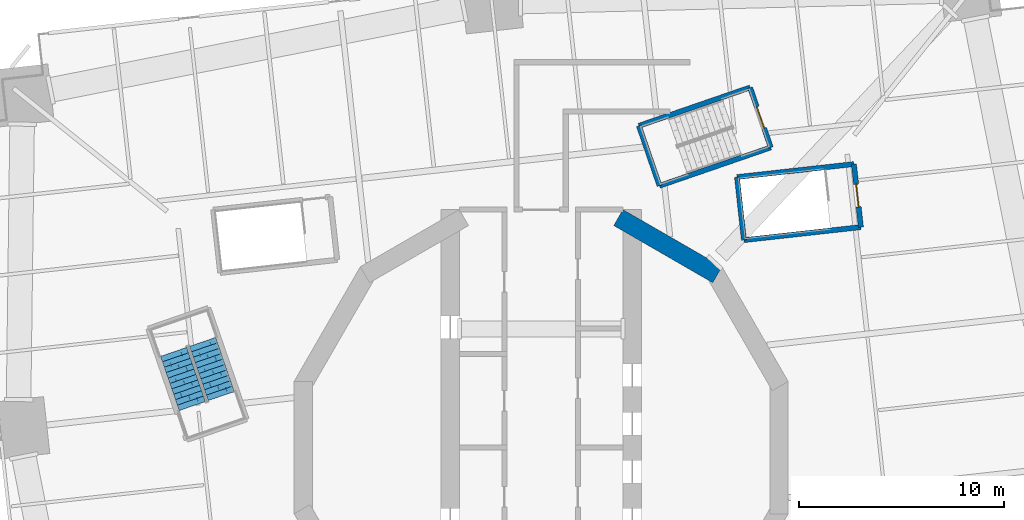
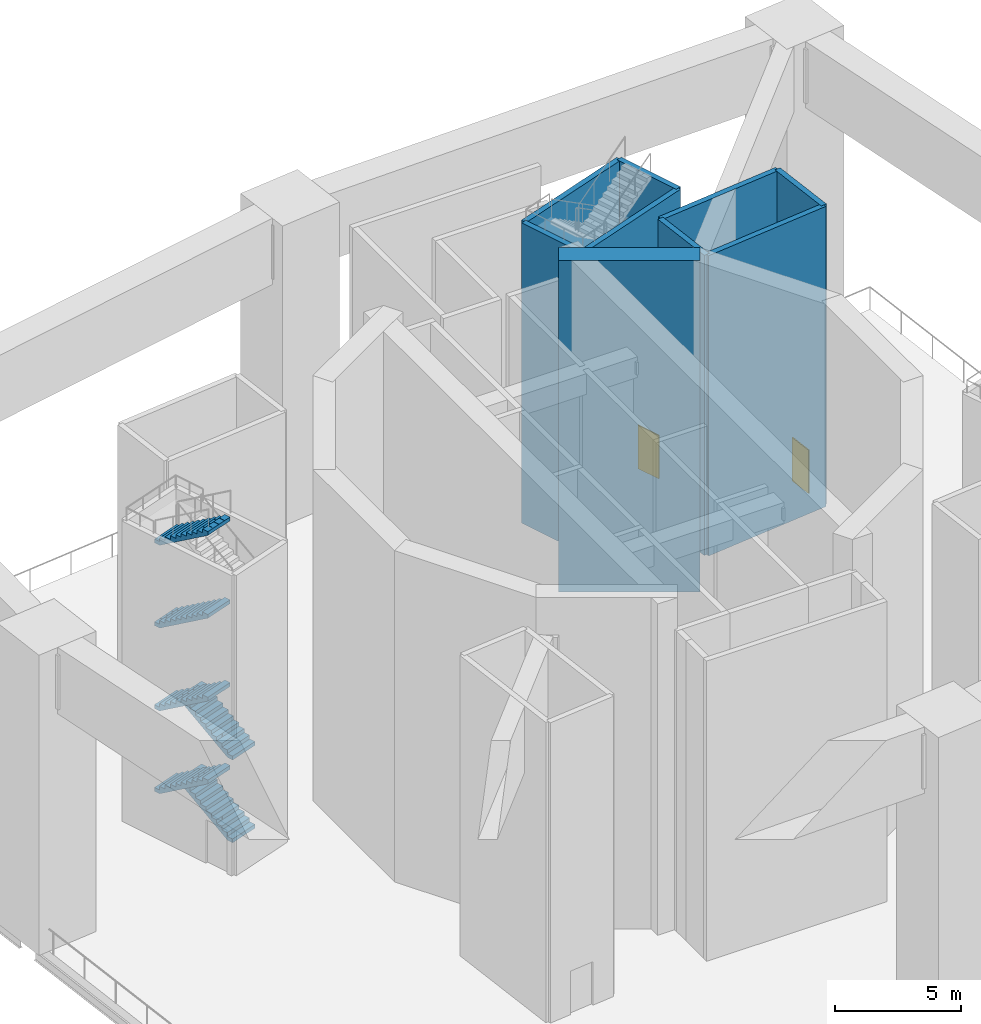
# One storey, part 5 of 13: 9 walls, 6 stair flights, 2 doors, 2 openings, 1 element without a shape of its own.
"""IFC4 building model written with IfcOpenShell, lengths in metres."""

import ifcopenshell
import ifcopenshell.guid

model = None  # the IFC model being written
_history = None  # IfcOwnerHistory: only IFC2X3 demands one
_inside = {}  # id of a spatial element -> (the spatial element, [elements in it])
_under = {}  # id of a project, library or spatial element -> (it, [spatial elements below it])
_declared = {}  # id of a project -> (the project, [libraries it declares])
_typed = {}  # id of a type object -> (the type object, [elements of that type])
_made_of = {}  # id of a material, layer set ... -> (it, [elements and type objects made of it])


def new_model(schema):
    """Start an empty IFC model of exactly this schema.

    Asked for "IFC4X3", IfcOpenShell would pick the latest addendum, in which some entities
    have other attributes; the version numbers below select the first issue.
    IFC2X3 requires an IfcOwnerHistory on every rooted entity: one is made here for all.
    """
    global model, _history
    if schema == "IFC4X3":
        model = ifcopenshell.file(schema_version=(4, 3, 0, 0))
    else:
        model = ifcopenshell.file(schema=schema)
    _inside.clear()
    _under.clear()
    _declared.clear()
    _typed.clear()
    _made_of.clear()
    _history = None
    if model.schema == "IFC2X3":
        org = make("IfcOrganization", Name="unknown")
        user = make(
            "IfcPersonAndOrganization",
            ThePerson=make("IfcPerson", FamilyName="unknown"),
            TheOrganization=org,
        )
        app = make(
            "IfcApplication",
            ApplicationDeveloper=org,
            Version="unknown",
            ApplicationFullName="unknown",
            ApplicationIdentifier="unknown",
        )
        _history = make(
            "IfcOwnerHistory",
            OwningUser=user,
            OwningApplication=app,
            ChangeAction="ADDED",
            CreationDate=0,
        )
    return model


def make(cls, **values):
    """One entity of the class cls with the attributes given. An attribute that is None is left unset."""
    return model.create_entity(
        cls, **{name: value for name, value in values.items() if value is not None}
    )


def rooted(cls, **values):
    """An entity with a GlobalId (a new one), such as an element, a storey or a relation."""
    return make(cls, GlobalId=ifcopenshell.guid.new(), OwnerHistory=_history, **values)


def si_unit(unit_type, name, prefix=None):
    """IfcSIUnit, for example si_unit("LENGTHUNIT", "METRE", prefix="MILLI")."""
    return make("IfcSIUnit", UnitType=unit_type, Prefix=prefix, Name=name)


def assignment(units):
    """IfcUnitAssignment: the units of a project."""
    return None if units is None else make("IfcUnitAssignment", Units=units)


def point(xyz):
    """IfcCartesianPoint."""
    return None if xyz is None else make("IfcCartesianPoint", Coordinates=xyz)


def direction(xyz):
    """IfcDirection."""
    return None if xyz is None else make("IfcDirection", DirectionRatios=xyz)


def frame(location, z_axis=None, x_axis=None):
    """IfcAxis2Placement3D, a coordinate frame: its origin and axes. An axis left out is left unset."""
    return make(
        "IfcAxis2Placement3D",
        Location=point(location),
        Axis=direction(z_axis),
        RefDirection=direction(x_axis),
    )


def frame_2d(location, x_axis=None):
    """IfcAxis2Placement2D, a coordinate frame in the plane: its origin and x axis."""
    return make(
        "IfcAxis2Placement2D", Location=point(location), RefDirection=direction(x_axis)
    )


def origin():
    """The frame at (0, 0, 0) with its axes left unset."""
    return frame((0.0, 0.0, 0.0))


def place(relative_to, where):
    """IfcLocalPlacement: puts the frame where relative to a parent placement (None: the world)."""
    return make(
        "IfcLocalPlacement", PlacementRelTo=relative_to, RelativePlacement=where
    )


def context(
    kind, dimensions, precision=None, world=None, true_north=None, identifier=None
):
    """IfcGeometricRepresentationContext, for example the 3D "Model" context."""
    return make(
        "IfcGeometricRepresentationContext",
        ContextIdentifier=identifier,
        ContextType=kind,
        CoordinateSpaceDimension=dimensions,
        Precision=precision,
        WorldCoordinateSystem=world,
        TrueNorth=true_north,
    )


def subcontext(parent, identifier, kind, view, scale=None):
    """IfcGeometricRepresentationSubContext, for example "Body" below "Model"."""
    return make(
        "IfcGeometricRepresentationSubContext",
        ContextIdentifier=identifier,
        ContextType=kind,
        ParentContext=parent,
        TargetScale=scale,
        TargetView=view,
    )


def project(units=None, contexts=None):
    """IfcProject with its units and contexts."""
    return rooted(
        "IfcProject",
        Name="project",
        RepresentationContexts=contexts,
        UnitsInContext=assignment(units),
    )


def spatial(cls, under=None, at=None, **own):
    """A site, building, storey or space (cls), placed at a placement, below another one or the project."""
    s = rooted(cls, ObjectPlacement=at, **own)
    if under is not None:
        _under.setdefault(under.id(), (under, []))[1].append(s)
    return s


def polyline(points):
    """IfcPolyline through the points."""
    return make("IfcPolyline", Points=[point(p) for p in points])


def profile(cls, at=None, kind="AREA", **sizes):
    """A parametric profile (cls). Its sizes go by their IFC names, for example OverallWidth=200.0."""
    return make(cls, ProfileType=kind, Position=at, **sizes)


def rectangle(**sizes):
    """IfcRectangleProfileDef."""
    return profile("IfcRectangleProfileDef", **sizes)


def outline(outer, holes=None, kind="AREA"):
    """IfcArbitraryClosedProfileDef: a profile drawn as a closed curve; with holes, ...WithVoids."""
    if holes is None:
        return make("IfcArbitraryClosedProfileDef", ProfileType=kind, OuterCurve=outer)
    return make(
        "IfcArbitraryProfileDefWithVoids",
        ProfileType=kind,
        OuterCurve=outer,
        InnerCurves=holes,
    )


def extrude(swept, where, along, depth):
    """IfcExtrudedAreaSolid: the profile swept, set in the frame where, extruded along a direction by depth."""
    return make(
        "IfcExtrudedAreaSolid",
        SweptArea=swept,
        Position=where,
        ExtrudedDirection=direction(along),
        Depth=depth,
    )


def shape(context_of_items, identifier, shape_type, items):
    """IfcShapeRepresentation: the items that make up one representation, for example the "Body"."""
    return make(
        "IfcShapeRepresentation",
        ContextOfItems=context_of_items,
        RepresentationIdentifier=identifier,
        RepresentationType=shape_type,
        Items=items,
    )


def material(Name=None, Category=None):
    """IfcMaterial."""
    return make("IfcMaterial", Name=Name, Category=Category)


def layer(
    of_material, thickness, ventilated=None, Name=None, Category=None, Priority=None
):
    """IfcMaterialLayer: one layer of a wall or slab, of a material (None: an air gap)."""
    return make(
        "IfcMaterialLayer",
        Material=of_material,
        LayerThickness=thickness,
        IsVentilated=ventilated,
        Name=Name,
        Category=Category,
        Priority=Priority,
    )


def layer_set(layers, Name=None):
    """IfcMaterialLayerSet."""
    return make("IfcMaterialLayerSet", MaterialLayers=layers, LayerSetName=Name)


def made_of(thing, what):
    """Note that an element or type object is made of a material, layer set ...; save() writes the relation."""
    if what is not None:
        _made_of.setdefault(what.id(), (what, []))[1].append(thing)
    return thing


def type_object(cls, material=None, **own):
    """A type object (cls), such as IfcWallType, which elements share."""
    return made_of(rooted(cls, **own), material)


def element(
    cls,
    number,
    at=None,
    inside=None,
    cuts=None,
    type_object=None,
    material=None,
    context=None,
    identifier="Body",
    shape_type=None,
    held_by="IfcProductDefinitionShape",
    body=None,
    shapes=None,
    **own,
):
    """One element of the class cls, such as IfcWall. Its Tag is "e" and its number.

    at: its placement. inside: the storey or other place that contains it. cuts: it is an
    opening in that element (IfcRelVoidsElement). A single representation is given by context,
    identifier, shape_type and body (its items); several are given by shapes. held_by: the class
    of the entity that holds the representations. save() writes the other relations.
    """
    e = rooted(cls, Tag="e%d" % number, ObjectPlacement=at, **own)
    if body is not None:
        shapes = [shape(context, identifier, shape_type, body)]
    if shapes is not None:
        e.Representation = make(held_by, Representations=shapes)
    if inside is not None:
        _inside.setdefault(inside.id(), (inside, []))[1].append(e)
    if cuts is not None:
        rooted(
            "IfcRelVoidsElement", RelatingBuildingElement=cuts, RelatedOpeningElement=e
        )
    if type_object is not None:
        _typed.setdefault(type_object.id(), (type_object, []))[1].append(e)
    return made_of(e, material)


def fill(opening, filler):
    """IfcRelFillsElement: the door or window that sits in an opening."""
    return rooted(
        "IfcRelFillsElement",
        RelatingOpeningElement=opening,
        RelatedBuildingElement=filler,
    )


def aggregate(whole, parts):
    """IfcRelAggregates: a whole, such as a stair, and the parts it consists of."""
    return rooted("IfcRelAggregates", RelatingObject=whole, RelatedObjects=parts)


def save(model, path):
    """Write the relations noted so far, then the file.

    IfcRelAggregates (storeys below a building ...), IfcRelContainedInSpatialStructure (elements
    in a storey), IfcRelDefinesByType, IfcRelAssociatesMaterial and IfcRelDeclares: one each for
    every whole, place, type object, material and project.
    """
    for whole, parts in _under.values():
        aggregate(whole, parts)
    for where, things in _inside.values():
        rooted(
            "IfcRelContainedInSpatialStructure",
            RelatedElements=things,
            RelatingStructure=where,
        )
    for kind, things in _typed.values():
        rooted("IfcRelDefinesByType", RelatedObjects=things, RelatingType=kind)
    for what, things in _made_of.values():
        rooted("IfcRelAssociatesMaterial", RelatedObjects=things, RelatingMaterial=what)
    for by, libraries in _declared.values():
        rooted("IfcRelDeclares", RelatingContext=by, RelatedDefinitions=libraries)
    model.write(path)


model = new_model("IFC4")

# Units and contexts
model_context = context("Model", 3, precision=1e-05, world=origin(), true_north=direction((0.0, 1.0)))
body_context = subcontext(model_context, "Body", "Model", "MODEL_VIEW")
ifc_project = project(units=[si_unit("LENGTHUNIT", "METRE"), si_unit("AREAUNIT", "SQUARE_METRE"), si_unit("VOLUMEUNIT", "CUBIC_METRE"), si_unit("PLANEANGLEUNIT", "RADIAN"), si_unit("MASSUNIT", "GRAM", prefix="KILO")], contexts=[model_context])

# Site, building, storey
site_placement = place(None, origin())
site = spatial("IfcSite", under=ifc_project, at=site_placement, CompositionType="ELEMENT")
building_placement = place(site_placement, origin())
building = spatial("IfcBuilding", under=site, at=building_placement, Name="Cantera Rosa Tower", CompositionType="ELEMENT")
storey_placement = place(building_placement, frame((0.0, 0.0, 84.300048828125)))
storey = spatial("IfcBuildingStorey", under=building, at=storey_placement, Name="L18", CompositionType="ELEMENT", Elevation=84.300048828125)

# Wall
ifc_material_1 = material(Name="Concrete C70/85", Category="concrete")
ifc_layer_1 = layer(ifc_material_1, 0.89990234375)
ifc_layer_set_1 = layer_set([ifc_layer_1], Name="RC CORE WALL 900 C70/85")
wall_type_1 = type_object("IfcWallType", Name="RC CORE WALL 900 C70/85", PredefinedType="SHEAR", material=ifc_layer_set_1)
wall_1_placement = place(storey_placement, frame((3.77490234375, 11.242919921875, 0.0), z_axis=(0.0, 0.0, 1.0), x_axis=(0.866026961591, -0.49999730179, 0.0)))
element("IfcWall", 1, at=wall_1_placement, inside=storey, type_object=wall_type_1, Name="CW-E1 L18", PredefinedType="SHEAR", context=body_context, shape_type="SweptSolid", body=[
    extrude(rectangle(XDim=5.58740234375, YDim=0.89990234375, at=frame_2d((2.793701171875, 0.0))), origin(), (0.0, 0.0, 1.0), 16.0),
])

# Wall, opening, door
ifc_material_2 = material(Name="Concrete C50/60", Category="concrete")
ifc_layer_2 = layer(ifc_material_2, 0.25)
ifc_layer_set_2 = layer_set([ifc_layer_2], Name="RC stair wall 250 C50/60")
wall_type_2 = type_object("IfcWallType", Name="RC stair wall 250", PredefinedType="SOLIDWALL", material=ifc_layer_set_2)
wall_2_placement = place(storey_placement, frame((10.213623046875, 17.6015625, 0.0), z_axis=(0.0, 0.0, 1.0), x_axis=(0.325568342783, -0.945518510753, 0.0)))
wall_2 = element("IfcWall", 2, at=wall_2_placement, inside=storey, type_object=wall_type_2, Name="STAIR WALL ST-21 L18-11", PredefinedType="SOLIDWALL", context=body_context, shape_type="SweptSolid", body=[
    extrude(rectangle(XDim=3.10009765625, YDim=0.25, at=frame_2d((1.550048828125, 0.0))), origin(), (0.0, 0.0, 1.0), 14.5),
])
opening_1_placement = place(wall_2_placement, frame((1.0, 0.0, 0.0)))
opening_1 = element("IfcOpeningElement", 3, at=opening_1_placement, cuts=wall_2, Name="Opening L18-ST-21", PredefinedType="OPENING", context=body_context, shape_type="SweptSolid", body=[
    extrude(rectangle(XDim=1.10009765625, YDim=2.10009765625, at=frame_2d((0.550048828125, 1.050048828125))), frame((0.0, 0.135009765625, 0.0), z_axis=(0.0, -1.0, 0.0), x_axis=(1.0, 0.0, 0.0)), (0.0, 0.0, 1.0), 0.27001953125),
])
ifc_material_3 = material(Name="Steel S355J2 (EN 10025-2)", Category="steel")
door_type = type_object("IfcDoorType", Name="STAIR DOOR 1100x2100", OperationType="NOTDEFINED", PredefinedType="DOOR", material=ifc_material_3)
door_1_placement = place(opening_1_placement, origin())
door_1 = element("IfcDoor", 4, at=door_1_placement, inside=storey, type_object=door_type, Name="DOOR L18-ST-21", OperationType="NOTDEFINED", OverallHeight=2.10009765625, OverallWidth=1.10009765625, PredefinedType="DOOR", context=body_context, shape_type="SweptSolid", body=[
    extrude(rectangle(XDim=1.10009765625, YDim=2.10009765625, at=frame_2d((0.550048828125, 1.050048828125))), frame((0.0, 0.02490234375, 0.0), z_axis=(0.0, -1.0, 0.0), x_axis=(1.0, 0.0, 0.0)), (0.0, 0.0, 1.0), 0.050048828125),
])
fill(opening_1, door_1)

# Walls
wall_3_placement = place(storey_placement, frame((11.222900390625, 14.67041015625, 0.0), z_axis=(0.0, 0.0, 1.0), x_axis=(-0.945511873973, -0.325587616743, 0.0)))
element("IfcWall", 5, at=wall_3_placement, inside=storey, type_object=wall_type_2, Name="STAIR WALL ST-21 L18-21", PredefinedType="SOLIDWALL", context=body_context, shape_type="SweptSolid", body=[
    extrude(rectangle(XDim=5.749755859375, YDim=0.25, at=frame_2d((2.875, 0.0))), origin(), (0.0, 0.0, 1.0), 14.5),
])
wall_4_placement = place(storey_placement, frame((5.786376953125, 12.79833984375, 0.0), z_axis=(0.0, 0.0, 1.0), x_axis=(-0.325568342783, 0.945518510753, 0.0)))
element("IfcWall", 6, at=wall_4_placement, inside=storey, type_object=wall_type_2, Name="STAIR WALL ST-21 L18-31", PredefinedType="SOLIDWALL", context=body_context, shape_type="SweptSolid", body=[
    extrude(rectangle(XDim=3.10009765625, YDim=0.25, at=frame_2d((1.550048828125, 0.0))), origin(), (0.0, 0.0, 1.0), 14.5),
])
wall_5_placement = place(storey_placement, frame((4.777099609375, 15.7294921875, 0.0), z_axis=(0.0, 0.0, 1.0), x_axis=(0.945511873973, 0.325587616743, 0.0)))
element("IfcWall", 7, at=wall_5_placement, inside=storey, type_object=wall_type_2, Name="STAIR WALL ST-21 L18-41", PredefinedType="SOLIDWALL", context=body_context, shape_type="SweptSolid", body=[
    extrude(rectangle(XDim=5.749755859375, YDim=0.25, at=frame_2d((2.875, 0.0))), origin(), (0.0, 0.0, 1.0), 14.5),
])

# Wall, opening, door
wall_6_placement = place(storey_placement, frame((15.28662109375, 13.857666015625, 0.0), z_axis=(0.0, 0.0, 1.0), x_axis=(0.110258644996, -0.993902928461, 0.0)))
wall_6 = element("IfcWall", 8, at=wall_6_placement, inside=storey, type_object=wall_type_2, Name="STAIR WALL ST-11 L18-11", PredefinedType="SOLIDWALL", context=body_context, shape_type="SweptSolid", body=[
    extrude(rectangle(XDim=3.099853515625, YDim=0.25, at=frame_2d((1.5498046875, 0.0))), origin(), (0.0, 0.0, 1.0), 14.5),
])
opening_2_placement = place(wall_6_placement, frame((1.0, 0.0, 0.0)))
opening_2 = element("IfcOpeningElement", 9, at=opening_2_placement, cuts=wall_6, Name="Opening L18-ST-11", PredefinedType="OPENING", context=body_context, shape_type="SweptSolid", body=[
    extrude(rectangle(XDim=1.10009765625, YDim=2.10009765625, at=frame_2d((0.550048828125, 1.050048828125))), frame((0.0, 0.135009765625, 0.0), z_axis=(0.0, -1.0, 0.0), x_axis=(1.0, 0.0, 0.0)), (0.0, 0.0, 1.0), 0.27001953125),
])
door_2_placement = place(opening_2_placement, origin())
door_2 = element("IfcDoor", 10, at=door_2_placement, inside=storey, type_object=door_type, Name="DOOR L18-ST-11", OperationType="NOTDEFINED", OverallHeight=2.10009765625, OverallWidth=1.10009765625, PredefinedType="DOOR", context=body_context, shape_type="SweptSolid", body=[
    extrude(rectangle(XDim=1.10009765625, YDim=2.10009765625, at=frame_2d((0.550048828125, 1.050048828125))), frame((0.0, 0.02490234375, 0.0), z_axis=(0.0, -1.0, 0.0), x_axis=(1.0, 0.0, 0.0)), (0.0, 0.0, 1.0), 0.050048828125),
])
fill(opening_2, door_2)

# Walls
wall_7_placement = place(storey_placement, frame((15.62841796875, 10.776611328125, 0.0), z_axis=(0.0, 0.0, 1.0), x_axis=(-0.993897190127, -0.110310359704, 0.0)))
element("IfcWall", 11, at=wall_7_placement, inside=storey, type_object=wall_type_2, Name="STAIR WALL ST-11 L18-21", PredefinedType="SOLIDWALL", context=body_context, shape_type="SweptSolid", body=[
    extrude(rectangle(XDim=5.75, YDim=0.25, at=frame_2d((2.875, 0.0))), origin(), (0.0, 0.0, 1.0), 14.5),
])
wall_8_placement = place(storey_placement, frame((9.91357421875, 10.142333984375, 0.0), z_axis=(0.0, 0.0, 1.0), x_axis=(-0.110336442721, 0.993894294886, 0.0)))
element("IfcWall", 12, at=wall_8_placement, inside=storey, type_object=wall_type_2, Name="STAIR WALL ST-11 L18-31", PredefinedType="SOLIDWALL", context=body_context, shape_type="SweptSolid", body=[
    extrude(rectangle(XDim=3.10009765625, YDim=0.25, at=frame_2d((1.550048828125, 0.0))), origin(), (0.0, 0.0, 1.0), 14.5),
])
wall_9_placement = place(storey_placement, frame((9.571533203125, 13.223388671875, 0.0), z_axis=(0.0, 0.0, 1.0), x_axis=(0.99389770676, 0.110305704736, 0.0)))
element("IfcWall", 13, at=wall_9_placement, inside=storey, type_object=wall_type_2, Name="STAIR WALL ST-11 L18-41", PredefinedType="SOLIDWALL", context=body_context, shape_type="SweptSolid", body=[
    extrude(rectangle(XDim=5.750244140625, YDim=0.25, at=frame_2d((2.875, 0.0))), origin(), (0.0, 0.0, 1.0), 14.5),
])

# Stair, stair flights
ifc_material_4 = material(Name="Concrete C35/45", Category="concrete")
stair_type = type_object("IfcStairType", Name="EXIT STAIR 1350 DOGLEG", PredefinedType="HALF_TURN_STAIR", material=ifc_material_4)
stair_placement = place(storey_placement, origin())
stair = element("IfcStair", 14, at=stair_placement, inside=storey, type_object=stair_type, Name="L18 ST-22", PredefinedType="HALF_TURN_STAIR")
ifc_material_5 = material(Name="Concrete C35/45", Category="concrete")
stair_flight_type = type_object("IfcStairFlightType", Name="STAIR FLIGHT 1350 R88x182", PredefinedType="STRAIGHT", material=ifc_material_5)
stair_flight_1_placement = place(storey_placement, frame((-15.635009765625, 2.5205078125, 0.0), z_axis=(0.0, 0.0, 1.0), x_axis=(-0.325568154457, 0.945518575599, 0.0)))
stair_flight_1 = element("IfcStairFlight", 15, at=stair_flight_1_placement, type_object=stair_flight_type, Name="ST-22 flight 1", NumberOfRisers=11, NumberOfTreads=10, PredefinedType="STRAIGHT", RiserHeight=0.181818182, TreadLength=0.28, context=body_context, shape_type="SweptSolid", body=[
    extrude(outline(polyline([(0.0, 0.0), (0.0, 0.181884765625), (0.280029296875, 0.181884765625), (0.280029296875, 0.363525390625), (0.56005859375, 0.363525390625), (0.56005859375, 0.54541015625), (0.840087890625, 0.54541015625), (0.840087890625, 0.727294921875), (1.1201171875, 0.727294921875), (1.1201171875, 0.9091796875), (1.39990234375, 0.9091796875), (1.39990234375, 1.0908203125), (1.679931640625, 1.0908203125), (1.679931640625, 1.272705078125), (1.9599609375, 1.272705078125), (1.9599609375, 1.45458984375), (2.239990234375, 1.45458984375), (2.239990234375, 1.636474609375), (2.52001953125, 1.636474609375), (2.52001953125, 1.818115234375), (2.800048828125, 1.818115234375), (2.800048828125, 2.0), (2.800048828125, 1.639404296875), (0.275146484375, 0.0), (0.0, 0.0)])), frame((0.0, 0.675048828125, 0.0), z_axis=(0.0, -1.0, 0.0), x_axis=(1.0, 0.0, 0.0)), (0.0, 0.0, 1.0), 0.3359375),
    extrude(outline(polyline([(0.0, 0.0), (0.0, 0.181884765625), (0.280029296875, 0.181884765625), (0.280029296875, 0.363525390625), (0.56005859375, 0.363525390625), (0.56005859375, 0.54541015625), (0.840087890625, 0.54541015625), (0.840087890625, 0.727294921875), (1.1201171875, 0.727294921875), (1.1201171875, 0.9091796875), (1.39990234375, 0.9091796875), (1.39990234375, 1.0908203125), (1.679931640625, 1.0908203125), (1.679931640625, 1.272705078125), (1.9599609375, 1.272705078125), (1.9599609375, 1.45458984375), (2.239990234375, 1.45458984375), (2.239990234375, 1.636474609375), (2.52001953125, 1.636474609375), (2.52001953125, 1.818115234375), (2.800048828125, 1.818115234375), (2.800048828125, 2.0), (2.800048828125, 1.639404296875), (0.275146484375, 0.0), (0.0, 0.0)])), frame((0.0, 0.337158203125, 0.0), z_axis=(0.0, -1.0, 0.0), x_axis=(1.0, 0.0, 0.0)), (0.0, 0.0, 1.0), 0.3359375),
    extrude(outline(polyline([(0.0, 0.0), (0.0, 0.181884765625), (0.280029296875, 0.181884765625), (0.280029296875, 0.363525390625), (0.56005859375, 0.363525390625), (0.56005859375, 0.54541015625), (0.840087890625, 0.54541015625), (0.840087890625, 0.727294921875), (1.1201171875, 0.727294921875), (1.1201171875, 0.9091796875), (1.39990234375, 0.9091796875), (1.39990234375, 1.0908203125), (1.679931640625, 1.0908203125), (1.679931640625, 1.272705078125), (1.9599609375, 1.272705078125), (1.9599609375, 1.45458984375), (2.239990234375, 1.45458984375), (2.239990234375, 1.636474609375), (2.52001953125, 1.636474609375), (2.52001953125, 1.818115234375), (2.800048828125, 1.818115234375), (2.800048828125, 2.0), (2.800048828125, 1.639404296875), (0.275146484375, 0.0), (0.0, 0.0)])), frame((0.0, -0.000732421875, 0.0), z_axis=(0.0, -1.0, 0.0), x_axis=(1.0, 0.0, 0.0)), (0.0, 0.0, 1.0), 0.3359375),
    extrude(outline(polyline([(0.0, 0.0), (0.0, 0.181884765625), (0.280029296875, 0.181884765625), (0.280029296875, 0.363525390625), (0.56005859375, 0.363525390625), (0.56005859375, 0.54541015625), (0.840087890625, 0.54541015625), (0.840087890625, 0.727294921875), (1.1201171875, 0.727294921875), (1.1201171875, 0.9091796875), (1.39990234375, 0.9091796875), (1.39990234375, 1.0908203125), (1.679931640625, 1.0908203125), (1.679931640625, 1.272705078125), (1.9599609375, 1.272705078125), (1.9599609375, 1.45458984375), (2.239990234375, 1.45458984375), (2.239990234375, 1.636474609375), (2.52001953125, 1.636474609375), (2.52001953125, 1.818115234375), (2.800048828125, 1.818115234375), (2.800048828125, 2.0), (2.800048828125, 1.639404296875), (0.275146484375, 0.0), (0.0, 0.0)])), frame((0.0, -0.338623046875, 0.0), z_axis=(0.0, -1.0, 0.0), x_axis=(1.0, 0.0, 0.0)), (0.0, 0.0, 1.0), 0.3359375),
])
stair_flight_2_placement = place(storey_placement, frame((-17.96484375, 4.679443359375, 2.0), z_axis=(0.0, 0.0, 1.0), x_axis=(0.325568154457, -0.945518575599, 0.0)))
stair_flight_2 = element("IfcStairFlight", 16, at=stair_flight_2_placement, type_object=stair_flight_type, Name="ST-22 flight 2", NumberOfRisers=11, NumberOfTreads=10, PredefinedType="STRAIGHT", RiserHeight=0.181818182, TreadLength=0.28, context=body_context, shape_type="SweptSolid", body=[
    extrude(outline(polyline([(0.0, 0.0), (0.0, 0.181884765625), (0.280029296875, 0.181884765625), (0.280029296875, 0.363525390625), (0.56005859375, 0.363525390625), (0.56005859375, 0.54541015625), (0.840087890625, 0.54541015625), (0.840087890625, 0.727294921875), (1.1201171875, 0.727294921875), (1.1201171875, 0.9091796875), (1.39990234375, 0.9091796875), (1.39990234375, 1.0908203125), (1.679931640625, 1.0908203125), (1.679931640625, 1.272705078125), (1.9599609375, 1.272705078125), (1.9599609375, 1.45458984375), (2.239990234375, 1.45458984375), (2.239990234375, 1.636474609375), (2.52001953125, 1.636474609375), (2.52001953125, 1.818115234375), (2.800048828125, 1.818115234375), (2.800048828125, 2.0), (2.800048828125, 1.639404296875), (0.275146484375, 0.0), (0.0, 0.0)])), frame((0.0, 0.675048828125, 0.0), z_axis=(0.0, -1.0, 0.0), x_axis=(1.0, 0.0, 0.0)), (0.0, 0.0, 1.0), 0.3359375),
    extrude(outline(polyline([(0.0, 0.0), (0.0, 0.181884765625), (0.280029296875, 0.181884765625), (0.280029296875, 0.363525390625), (0.56005859375, 0.363525390625), (0.56005859375, 0.54541015625), (0.840087890625, 0.54541015625), (0.840087890625, 0.727294921875), (1.1201171875, 0.727294921875), (1.1201171875, 0.9091796875), (1.39990234375, 0.9091796875), (1.39990234375, 1.0908203125), (1.679931640625, 1.0908203125), (1.679931640625, 1.272705078125), (1.9599609375, 1.272705078125), (1.9599609375, 1.45458984375), (2.239990234375, 1.45458984375), (2.239990234375, 1.636474609375), (2.52001953125, 1.636474609375), (2.52001953125, 1.818115234375), (2.800048828125, 1.818115234375), (2.800048828125, 2.0), (2.800048828125, 1.639404296875), (0.275146484375, 0.0), (0.0, 0.0)])), frame((0.0, 0.337158203125, 0.0), z_axis=(0.0, -1.0, 0.0), x_axis=(1.0, 0.0, 0.0)), (0.0, 0.0, 1.0), 0.3359375),
    extrude(outline(polyline([(0.0, 0.0), (0.0, 0.181884765625), (0.280029296875, 0.181884765625), (0.280029296875, 0.363525390625), (0.56005859375, 0.363525390625), (0.56005859375, 0.54541015625), (0.840087890625, 0.54541015625), (0.840087890625, 0.727294921875), (1.1201171875, 0.727294921875), (1.1201171875, 0.9091796875), (1.39990234375, 0.9091796875), (1.39990234375, 1.0908203125), (1.679931640625, 1.0908203125), (1.679931640625, 1.272705078125), (1.9599609375, 1.272705078125), (1.9599609375, 1.45458984375), (2.239990234375, 1.45458984375), (2.239990234375, 1.636474609375), (2.52001953125, 1.636474609375), (2.52001953125, 1.818115234375), (2.800048828125, 1.818115234375), (2.800048828125, 2.0), (2.800048828125, 1.639404296875), (0.275146484375, 0.0), (0.0, 0.0)])), frame((0.0, -0.000732421875, 0.0), z_axis=(0.0, -1.0, 0.0), x_axis=(1.0, 0.0, 0.0)), (0.0, 0.0, 1.0), 0.3359375),
    extrude(outline(polyline([(0.0, 0.0), (0.0, 0.181884765625), (0.280029296875, 0.181884765625), (0.280029296875, 0.363525390625), (0.56005859375, 0.363525390625), (0.56005859375, 0.54541015625), (0.840087890625, 0.54541015625), (0.840087890625, 0.727294921875), (1.1201171875, 0.727294921875), (1.1201171875, 0.9091796875), (1.39990234375, 0.9091796875), (1.39990234375, 1.0908203125), (1.679931640625, 1.0908203125), (1.679931640625, 1.272705078125), (1.9599609375, 1.272705078125), (1.9599609375, 1.45458984375), (2.239990234375, 1.45458984375), (2.239990234375, 1.636474609375), (2.52001953125, 1.636474609375), (2.52001953125, 1.818115234375), (2.800048828125, 1.818115234375), (2.800048828125, 2.0), (2.800048828125, 1.639404296875), (0.275146484375, 0.0), (0.0, 0.0)])), frame((0.0, -0.338623046875, 0.0), z_axis=(0.0, -1.0, 0.0), x_axis=(1.0, 0.0, 0.0)), (0.0, 0.0, 1.0), 0.3359375),
])
stair_flight_3_placement = place(storey_placement, frame((-15.635009765625, 2.5205078125, 4.0), z_axis=(0.0, 0.0, 1.0), x_axis=(-0.325568154457, 0.945518575599, 0.0)))
stair_flight_3 = element("IfcStairFlight", 17, at=stair_flight_3_placement, type_object=stair_flight_type, Name="ST-22 flight 3", NumberOfRisers=11, NumberOfTreads=10, PredefinedType="STRAIGHT", RiserHeight=0.181818182, TreadLength=0.28, context=body_context, shape_type="SweptSolid", body=[
    extrude(outline(polyline([(0.0, 0.0), (0.0, 0.181884765625), (0.280029296875, 0.181884765625), (0.280029296875, 0.363525390625), (0.56005859375, 0.363525390625), (0.56005859375, 0.54541015625), (0.840087890625, 0.54541015625), (0.840087890625, 0.727294921875), (1.1201171875, 0.727294921875), (1.1201171875, 0.9091796875), (1.39990234375, 0.9091796875), (1.39990234375, 1.0908203125), (1.679931640625, 1.0908203125), (1.679931640625, 1.272705078125), (1.9599609375, 1.272705078125), (1.9599609375, 1.45458984375), (2.239990234375, 1.45458984375), (2.239990234375, 1.636474609375), (2.52001953125, 1.636474609375), (2.52001953125, 1.818115234375), (2.800048828125, 1.818115234375), (2.800048828125, 2.0), (2.800048828125, 1.639404296875), (0.275146484375, 0.0), (0.0, 0.0)])), frame((0.0, 0.675048828125, 0.0), z_axis=(0.0, -1.0, 0.0), x_axis=(1.0, 0.0, 0.0)), (0.0, 0.0, 1.0), 0.3359375),
    extrude(outline(polyline([(0.0, 0.0), (0.0, 0.181884765625), (0.280029296875, 0.181884765625), (0.280029296875, 0.363525390625), (0.56005859375, 0.363525390625), (0.56005859375, 0.54541015625), (0.840087890625, 0.54541015625), (0.840087890625, 0.727294921875), (1.1201171875, 0.727294921875), (1.1201171875, 0.9091796875), (1.39990234375, 0.9091796875), (1.39990234375, 1.0908203125), (1.679931640625, 1.0908203125), (1.679931640625, 1.272705078125), (1.9599609375, 1.272705078125), (1.9599609375, 1.45458984375), (2.239990234375, 1.45458984375), (2.239990234375, 1.636474609375), (2.52001953125, 1.636474609375), (2.52001953125, 1.818115234375), (2.800048828125, 1.818115234375), (2.800048828125, 2.0), (2.800048828125, 1.639404296875), (0.275146484375, 0.0), (0.0, 0.0)])), frame((0.0, 0.337158203125, 0.0), z_axis=(0.0, -1.0, 0.0), x_axis=(1.0, 0.0, 0.0)), (0.0, 0.0, 1.0), 0.3359375),
    extrude(outline(polyline([(0.0, 0.0), (0.0, 0.181884765625), (0.280029296875, 0.181884765625), (0.280029296875, 0.363525390625), (0.56005859375, 0.363525390625), (0.56005859375, 0.54541015625), (0.840087890625, 0.54541015625), (0.840087890625, 0.727294921875), (1.1201171875, 0.727294921875), (1.1201171875, 0.9091796875), (1.39990234375, 0.9091796875), (1.39990234375, 1.0908203125), (1.679931640625, 1.0908203125), (1.679931640625, 1.272705078125), (1.9599609375, 1.272705078125), (1.9599609375, 1.45458984375), (2.239990234375, 1.45458984375), (2.239990234375, 1.636474609375), (2.52001953125, 1.636474609375), (2.52001953125, 1.818115234375), (2.800048828125, 1.818115234375), (2.800048828125, 2.0), (2.800048828125, 1.639404296875), (0.275146484375, 0.0), (0.0, 0.0)])), frame((0.0, -0.000732421875, 0.0), z_axis=(0.0, -1.0, 0.0), x_axis=(1.0, 0.0, 0.0)), (0.0, 0.0, 1.0), 0.3359375),
    extrude(outline(polyline([(0.0, 0.0), (0.0, 0.181884765625), (0.280029296875, 0.181884765625), (0.280029296875, 0.363525390625), (0.56005859375, 0.363525390625), (0.56005859375, 0.54541015625), (0.840087890625, 0.54541015625), (0.840087890625, 0.727294921875), (1.1201171875, 0.727294921875), (1.1201171875, 0.9091796875), (1.39990234375, 0.9091796875), (1.39990234375, 1.0908203125), (1.679931640625, 1.0908203125), (1.679931640625, 1.272705078125), (1.9599609375, 1.272705078125), (1.9599609375, 1.45458984375), (2.239990234375, 1.45458984375), (2.239990234375, 1.636474609375), (2.52001953125, 1.636474609375), (2.52001953125, 1.818115234375), (2.800048828125, 1.818115234375), (2.800048828125, 2.0), (2.800048828125, 1.639404296875), (0.275146484375, 0.0), (0.0, 0.0)])), frame((0.0, -0.338623046875, 0.0), z_axis=(0.0, -1.0, 0.0), x_axis=(1.0, 0.0, 0.0)), (0.0, 0.0, 1.0), 0.3359375),
])
stair_flight_4_placement = place(storey_placement, frame((-17.96484375, 4.679443359375, 6.0), z_axis=(0.0, 0.0, 1.0), x_axis=(0.325568154457, -0.945518575599, 0.0)))
stair_flight_4 = element("IfcStairFlight", 18, at=stair_flight_4_placement, type_object=stair_flight_type, Name="ST-22 flight 4", NumberOfRisers=11, NumberOfTreads=10, PredefinedType="STRAIGHT", RiserHeight=0.181818182, TreadLength=0.28, context=body_context, shape_type="SweptSolid", body=[
    extrude(outline(polyline([(0.0, 0.0), (0.0, 0.181884765625), (0.280029296875, 0.181884765625), (0.280029296875, 0.363525390625), (0.56005859375, 0.363525390625), (0.56005859375, 0.54541015625), (0.840087890625, 0.54541015625), (0.840087890625, 0.727294921875), (1.1201171875, 0.727294921875), (1.1201171875, 0.9091796875), (1.39990234375, 0.9091796875), (1.39990234375, 1.0908203125), (1.679931640625, 1.0908203125), (1.679931640625, 1.272705078125), (1.9599609375, 1.272705078125), (1.9599609375, 1.45458984375), (2.239990234375, 1.45458984375), (2.239990234375, 1.636474609375), (2.52001953125, 1.636474609375), (2.52001953125, 1.818115234375), (2.800048828125, 1.818115234375), (2.800048828125, 2.0), (2.800048828125, 1.639404296875), (0.275146484375, 0.0), (0.0, 0.0)])), frame((0.0, 0.675048828125, 0.0), z_axis=(0.0, -1.0, 0.0), x_axis=(1.0, 0.0, 0.0)), (0.0, 0.0, 1.0), 0.3359375),
    extrude(outline(polyline([(0.0, 0.0), (0.0, 0.181884765625), (0.280029296875, 0.181884765625), (0.280029296875, 0.363525390625), (0.56005859375, 0.363525390625), (0.56005859375, 0.54541015625), (0.840087890625, 0.54541015625), (0.840087890625, 0.727294921875), (1.1201171875, 0.727294921875), (1.1201171875, 0.9091796875), (1.39990234375, 0.9091796875), (1.39990234375, 1.0908203125), (1.679931640625, 1.0908203125), (1.679931640625, 1.272705078125), (1.9599609375, 1.272705078125), (1.9599609375, 1.45458984375), (2.239990234375, 1.45458984375), (2.239990234375, 1.636474609375), (2.52001953125, 1.636474609375), (2.52001953125, 1.818115234375), (2.800048828125, 1.818115234375), (2.800048828125, 2.0), (2.800048828125, 1.639404296875), (0.275146484375, 0.0), (0.0, 0.0)])), frame((0.0, 0.337158203125, 0.0), z_axis=(0.0, -1.0, 0.0), x_axis=(1.0, 0.0, 0.0)), (0.0, 0.0, 1.0), 0.3359375),
    extrude(outline(polyline([(0.0, 0.0), (0.0, 0.181884765625), (0.280029296875, 0.181884765625), (0.280029296875, 0.363525390625), (0.56005859375, 0.363525390625), (0.56005859375, 0.54541015625), (0.840087890625, 0.54541015625), (0.840087890625, 0.727294921875), (1.1201171875, 0.727294921875), (1.1201171875, 0.9091796875), (1.39990234375, 0.9091796875), (1.39990234375, 1.0908203125), (1.679931640625, 1.0908203125), (1.679931640625, 1.272705078125), (1.9599609375, 1.272705078125), (1.9599609375, 1.45458984375), (2.239990234375, 1.45458984375), (2.239990234375, 1.636474609375), (2.52001953125, 1.636474609375), (2.52001953125, 1.818115234375), (2.800048828125, 1.818115234375), (2.800048828125, 2.0), (2.800048828125, 1.639404296875), (0.275146484375, 0.0), (0.0, 0.0)])), frame((0.0, -0.000732421875, 0.0), z_axis=(0.0, -1.0, 0.0), x_axis=(1.0, 0.0, 0.0)), (0.0, 0.0, 1.0), 0.3359375),
    extrude(outline(polyline([(0.0, 0.0), (0.0, 0.181884765625), (0.280029296875, 0.181884765625), (0.280029296875, 0.363525390625), (0.56005859375, 0.363525390625), (0.56005859375, 0.54541015625), (0.840087890625, 0.54541015625), (0.840087890625, 0.727294921875), (1.1201171875, 0.727294921875), (1.1201171875, 0.9091796875), (1.39990234375, 0.9091796875), (1.39990234375, 1.0908203125), (1.679931640625, 1.0908203125), (1.679931640625, 1.272705078125), (1.9599609375, 1.272705078125), (1.9599609375, 1.45458984375), (2.239990234375, 1.45458984375), (2.239990234375, 1.636474609375), (2.52001953125, 1.636474609375), (2.52001953125, 1.818115234375), (2.800048828125, 1.818115234375), (2.800048828125, 2.0), (2.800048828125, 1.639404296875), (0.275146484375, 0.0), (0.0, 0.0)])), frame((0.0, -0.338623046875, 0.0), z_axis=(0.0, -1.0, 0.0), x_axis=(1.0, 0.0, 0.0)), (0.0, 0.0, 1.0), 0.3359375),
])
stair_flight_5_placement = place(storey_placement, frame((-17.96484375, 4.679443359375, 10.0), z_axis=(0.0, 0.0, 1.0), x_axis=(0.325568154457, -0.945518575599, 0.0)))
stair_flight_5 = element("IfcStairFlight", 19, at=stair_flight_5_placement, type_object=stair_flight_type, Name="ST-22 flight 6", NumberOfRisers=11, NumberOfTreads=10, PredefinedType="STRAIGHT", RiserHeight=0.181818182, TreadLength=0.28, context=body_context, shape_type="SweptSolid", body=[
    extrude(outline(polyline([(0.0, 0.0), (0.0, 0.181884765625), (0.280029296875, 0.181884765625), (0.280029296875, 0.363525390625), (0.56005859375, 0.363525390625), (0.56005859375, 0.54541015625), (0.840087890625, 0.54541015625), (0.840087890625, 0.727294921875), (1.1201171875, 0.727294921875), (1.1201171875, 0.9091796875), (1.39990234375, 0.9091796875), (1.39990234375, 1.0908203125), (1.679931640625, 1.0908203125), (1.679931640625, 1.272705078125), (1.9599609375, 1.272705078125), (1.9599609375, 1.45458984375), (2.239990234375, 1.45458984375), (2.239990234375, 1.636474609375), (2.52001953125, 1.636474609375), (2.52001953125, 1.818115234375), (2.800048828125, 1.818115234375), (2.800048828125, 2.0), (2.800048828125, 1.639404296875), (0.275146484375, 0.0), (0.0, 0.0)])), frame((0.0, 0.675048828125, 0.0), z_axis=(0.0, -1.0, 0.0), x_axis=(1.0, 0.0, 0.0)), (0.0, 0.0, 1.0), 0.3359375),
    extrude(outline(polyline([(0.0, 0.0), (0.0, 0.181884765625), (0.280029296875, 0.181884765625), (0.280029296875, 0.363525390625), (0.56005859375, 0.363525390625), (0.56005859375, 0.54541015625), (0.840087890625, 0.54541015625), (0.840087890625, 0.727294921875), (1.1201171875, 0.727294921875), (1.1201171875, 0.9091796875), (1.39990234375, 0.9091796875), (1.39990234375, 1.0908203125), (1.679931640625, 1.0908203125), (1.679931640625, 1.272705078125), (1.9599609375, 1.272705078125), (1.9599609375, 1.45458984375), (2.239990234375, 1.45458984375), (2.239990234375, 1.636474609375), (2.52001953125, 1.636474609375), (2.52001953125, 1.818115234375), (2.800048828125, 1.818115234375), (2.800048828125, 2.0), (2.800048828125, 1.639404296875), (0.275146484375, 0.0), (0.0, 0.0)])), frame((0.0, 0.337158203125, 0.0), z_axis=(0.0, -1.0, 0.0), x_axis=(1.0, 0.0, 0.0)), (0.0, 0.0, 1.0), 0.3359375),
    extrude(outline(polyline([(0.0, 0.0), (0.0, 0.181884765625), (0.280029296875, 0.181884765625), (0.280029296875, 0.363525390625), (0.56005859375, 0.363525390625), (0.56005859375, 0.54541015625), (0.840087890625, 0.54541015625), (0.840087890625, 0.727294921875), (1.1201171875, 0.727294921875), (1.1201171875, 0.9091796875), (1.39990234375, 0.9091796875), (1.39990234375, 1.0908203125), (1.679931640625, 1.0908203125), (1.679931640625, 1.272705078125), (1.9599609375, 1.272705078125), (1.9599609375, 1.45458984375), (2.239990234375, 1.45458984375), (2.239990234375, 1.636474609375), (2.52001953125, 1.636474609375), (2.52001953125, 1.818115234375), (2.800048828125, 1.818115234375), (2.800048828125, 2.0), (2.800048828125, 1.639404296875), (0.275146484375, 0.0), (0.0, 0.0)])), frame((0.0, -0.000732421875, 0.0), z_axis=(0.0, -1.0, 0.0), x_axis=(1.0, 0.0, 0.0)), (0.0, 0.0, 1.0), 0.3359375),
    extrude(outline(polyline([(0.0, 0.0), (0.0, 0.181884765625), (0.280029296875, 0.181884765625), (0.280029296875, 0.363525390625), (0.56005859375, 0.363525390625), (0.56005859375, 0.54541015625), (0.840087890625, 0.54541015625), (0.840087890625, 0.727294921875), (1.1201171875, 0.727294921875), (1.1201171875, 0.9091796875), (1.39990234375, 0.9091796875), (1.39990234375, 1.0908203125), (1.679931640625, 1.0908203125), (1.679931640625, 1.272705078125), (1.9599609375, 1.272705078125), (1.9599609375, 1.45458984375), (2.239990234375, 1.45458984375), (2.239990234375, 1.636474609375), (2.52001953125, 1.636474609375), (2.52001953125, 1.818115234375), (2.800048828125, 1.818115234375), (2.800048828125, 2.0), (2.800048828125, 1.639404296875), (0.275146484375, 0.0), (0.0, 0.0)])), frame((0.0, -0.338623046875, 0.0), z_axis=(0.0, -1.0, 0.0), x_axis=(1.0, 0.0, 0.0)), (0.0, 0.0, 1.0), 0.3359375),
])
stair_flight_6_placement = place(storey_placement, frame((-17.96484375, 4.679443359375, 14.0), z_axis=(0.0, 0.0, 1.0), x_axis=(0.325568154457, -0.945518575599, 0.0)))
stair_flight_6 = element("IfcStairFlight", 20, at=stair_flight_6_placement, type_object=stair_flight_type, Name="ST-22 flight 8", NumberOfRisers=11, NumberOfTreads=10, PredefinedType="STRAIGHT", RiserHeight=0.181818182, TreadLength=0.28, context=body_context, shape_type="SweptSolid", body=[
    extrude(outline(polyline([(0.0, 0.0), (0.0, 0.181884765625), (0.280029296875, 0.181884765625), (0.280029296875, 0.363525390625), (0.56005859375, 0.363525390625), (0.56005859375, 0.54541015625), (0.840087890625, 0.54541015625), (0.840087890625, 0.727294921875), (1.1201171875, 0.727294921875), (1.1201171875, 0.9091796875), (1.39990234375, 0.9091796875), (1.39990234375, 1.0908203125), (1.679931640625, 1.0908203125), (1.679931640625, 1.272705078125), (1.9599609375, 1.272705078125), (1.9599609375, 1.45458984375), (2.239990234375, 1.45458984375), (2.239990234375, 1.636474609375), (2.52001953125, 1.636474609375), (2.52001953125, 1.818115234375), (2.800048828125, 1.818115234375), (2.800048828125, 2.0), (2.800048828125, 1.639404296875), (0.275146484375, 0.0), (0.0, 0.0)])), frame((0.0, 0.675048828125, 0.0), z_axis=(0.0, -1.0, 0.0), x_axis=(1.0, 0.0, 0.0)), (0.0, 0.0, 1.0), 0.3359375),
    extrude(outline(polyline([(0.0, 0.0), (0.0, 0.181884765625), (0.280029296875, 0.181884765625), (0.280029296875, 0.363525390625), (0.56005859375, 0.363525390625), (0.56005859375, 0.54541015625), (0.840087890625, 0.54541015625), (0.840087890625, 0.727294921875), (1.1201171875, 0.727294921875), (1.1201171875, 0.9091796875), (1.39990234375, 0.9091796875), (1.39990234375, 1.0908203125), (1.679931640625, 1.0908203125), (1.679931640625, 1.272705078125), (1.9599609375, 1.272705078125), (1.9599609375, 1.45458984375), (2.239990234375, 1.45458984375), (2.239990234375, 1.636474609375), (2.52001953125, 1.636474609375), (2.52001953125, 1.818115234375), (2.800048828125, 1.818115234375), (2.800048828125, 2.0), (2.800048828125, 1.639404296875), (0.275146484375, 0.0), (0.0, 0.0)])), frame((0.0, 0.337158203125, 0.0), z_axis=(0.0, -1.0, 0.0), x_axis=(1.0, 0.0, 0.0)), (0.0, 0.0, 1.0), 0.3359375),
    extrude(outline(polyline([(0.0, 0.0), (0.0, 0.181884765625), (0.280029296875, 0.181884765625), (0.280029296875, 0.363525390625), (0.56005859375, 0.363525390625), (0.56005859375, 0.54541015625), (0.840087890625, 0.54541015625), (0.840087890625, 0.727294921875), (1.1201171875, 0.727294921875), (1.1201171875, 0.9091796875), (1.39990234375, 0.9091796875), (1.39990234375, 1.0908203125), (1.679931640625, 1.0908203125), (1.679931640625, 1.272705078125), (1.9599609375, 1.272705078125), (1.9599609375, 1.45458984375), (2.239990234375, 1.45458984375), (2.239990234375, 1.636474609375), (2.52001953125, 1.636474609375), (2.52001953125, 1.818115234375), (2.800048828125, 1.818115234375), (2.800048828125, 2.0), (2.800048828125, 1.639404296875), (0.275146484375, 0.0), (0.0, 0.0)])), frame((0.0, -0.000732421875, 0.0), z_axis=(0.0, -1.0, 0.0), x_axis=(1.0, 0.0, 0.0)), (0.0, 0.0, 1.0), 0.3359375),
    extrude(outline(polyline([(0.0, 0.0), (0.0, 0.181884765625), (0.280029296875, 0.181884765625), (0.280029296875, 0.363525390625), (0.56005859375, 0.363525390625), (0.56005859375, 0.54541015625), (0.840087890625, 0.54541015625), (0.840087890625, 0.727294921875), (1.1201171875, 0.727294921875), (1.1201171875, 0.9091796875), (1.39990234375, 0.9091796875), (1.39990234375, 1.0908203125), (1.679931640625, 1.0908203125), (1.679931640625, 1.272705078125), (1.9599609375, 1.272705078125), (1.9599609375, 1.45458984375), (2.239990234375, 1.45458984375), (2.239990234375, 1.636474609375), (2.52001953125, 1.636474609375), (2.52001953125, 1.818115234375), (2.800048828125, 1.818115234375), (2.800048828125, 2.0), (2.800048828125, 1.639404296875), (0.275146484375, 0.0), (0.0, 0.0)])), frame((0.0, -0.338623046875, 0.0), z_axis=(0.0, -1.0, 0.0), x_axis=(1.0, 0.0, 0.0)), (0.0, 0.0, 1.0), 0.3359375),
])
aggregate(stair, [stair_flight_1, stair_flight_2, stair_flight_3, stair_flight_4, stair_flight_5, stair_flight_6])

save(model, "model.ifc")
